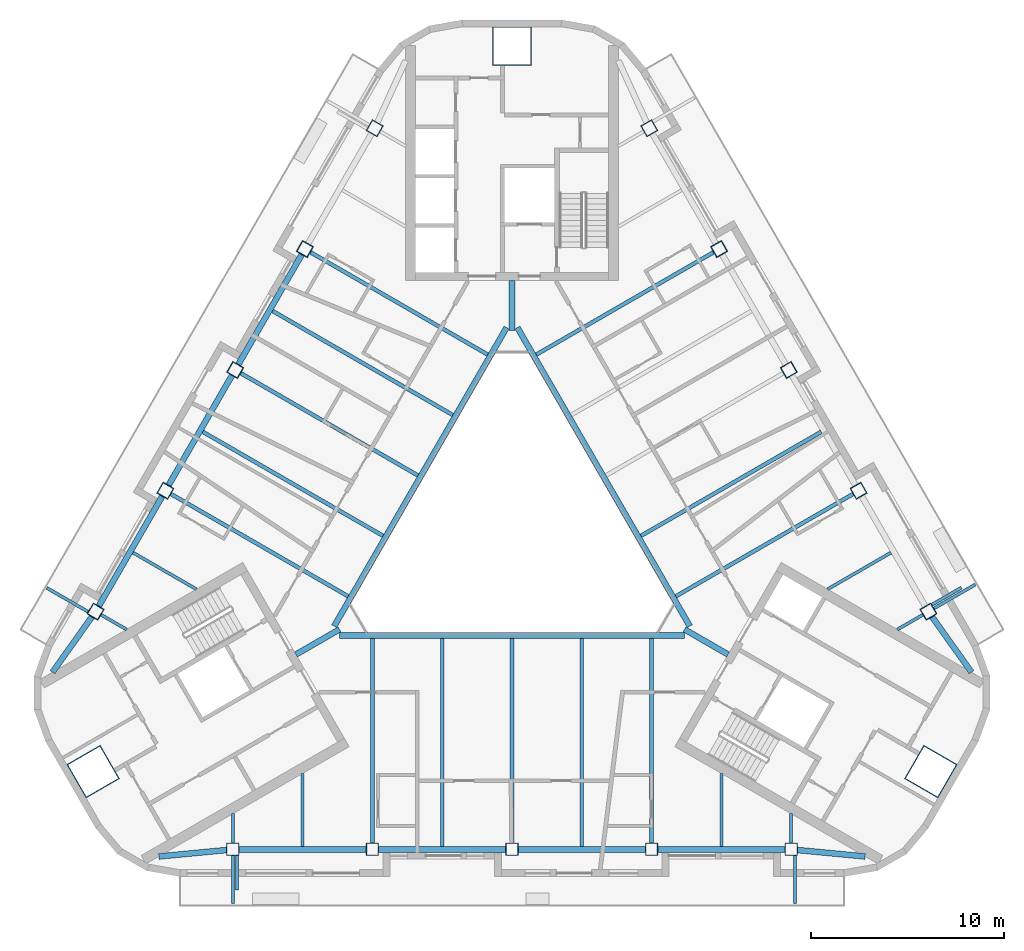
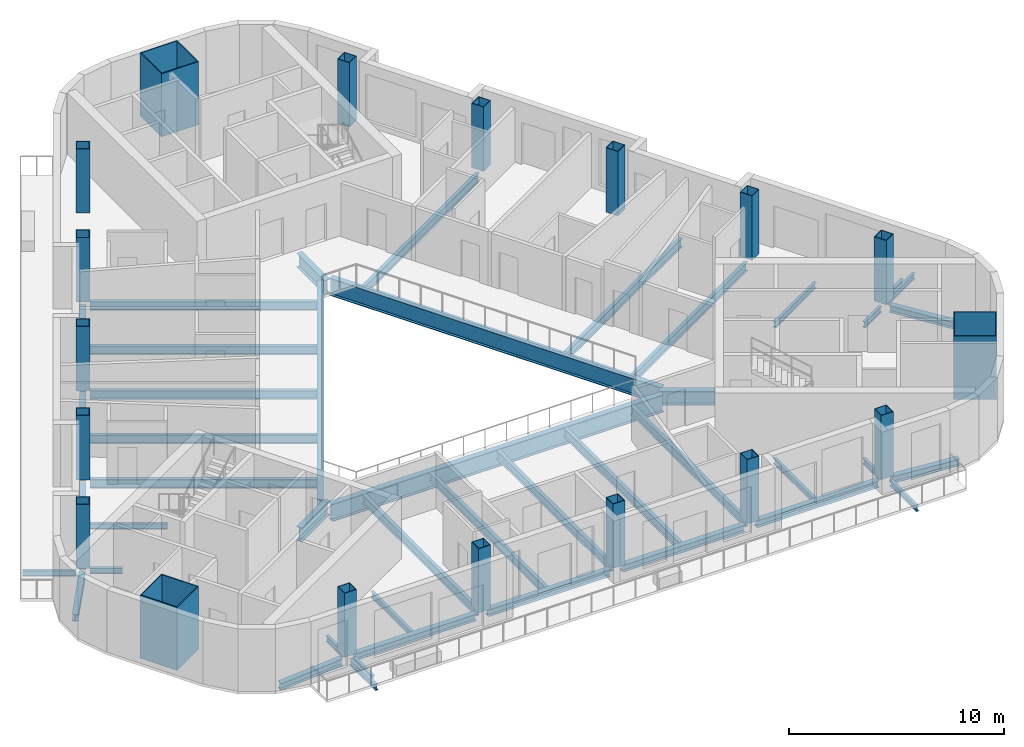
# One storey, part 1 of 13: 44 beams, 18 columns.
"""IFC4 building model written with IfcOpenShell, lengths in metres."""

from ifc_helpers import new_model, si_unit, direction, frame, origin, origin_2d, place, context, subcontext, project, spatial, rectangle, hollow_rectangle, i_section, extrude, boolean, halfspace, material, material_profile, profile_set, type_object, element, save


model = new_model("IFC4")

# Units and contexts
model_context = context("Model", 3, precision=1e-05, world=origin(), true_north=direction((0.0, 1.0)))
body_context = subcontext(model_context, "Body", "Model", "MODEL_VIEW")
ifc_project = project(units=[si_unit("LENGTHUNIT", "METRE"), si_unit("AREAUNIT", "SQUARE_METRE"), si_unit("VOLUMEUNIT", "CUBIC_METRE"), si_unit("PLANEANGLEUNIT", "RADIAN"), si_unit("MASSUNIT", "GRAM", prefix="KILO")], contexts=[model_context])

# Site, building, storey
site_placement = place(None, origin())
site = spatial("IfcSite", under=ifc_project, at=site_placement, CompositionType="ELEMENT")
building_placement = place(site_placement, origin())
building = spatial("IfcBuilding", under=site, at=building_placement, Name="Apuvela Tower Hotel", CompositionType="ELEMENT")
storey_placement = place(building_placement, frame((0.0, 0.0, 283.699951171875)))
storey = spatial("IfcBuildingStorey", under=building, at=storey_placement, Name="L70", CompositionType="ELEMENT", Elevation=283.699951171875)

# Columns
ifc_material_1 = material(Name="Steel S460", Category="steel")
ifc_material_profile_1 = material_profile(ifc_material_1, hollow_rectangle(XDim=2.0, YDim=2.0, WallThickness=0.050048828125, at=origin_2d()), Name="BOX 2000x2000x50")
ifc_material_2 = material(Name="Concrete C80/95", Category="concrete")
ifc_material_profile_2 = material_profile(ifc_material_2, rectangle(XDim=1.89990234375, YDim=1.89990234375, at=origin_2d()), Name="Concrete C80/95 infill")
ifc_profile_set_1 = profile_set([ifc_material_profile_1, ifc_material_profile_2], Name="Steel S460")
column_type_1 = type_object("IfcColumnType", Name="STR-MC mega column BOX 2000x2000x50", PredefinedType="COLUMN", material=ifc_profile_set_1)
for number, where, z_axis, x_axis, name in (
    (1, (0.0, 25.0087890625, 0.0), (0.0, 0.0, 1.0), (1.0, 0.0, 0.0), "Mega column MC4 N"),
    (2, (-21.658203125, -12.50439453125, 0.0), (0.0, 0.0, 1.0), (-0.5, 0.866025403784, 0.0), "Mega column MC4 SW"),
    (3, (21.658203125, -12.50439453125, 0.0), (0.0, 0.0, 1.0), (0.5, 0.866025403784, 0.0), "Mega column MC4 SE"),
):
    element("IfcColumn", number, at=place(storey_placement, frame(where, z_axis=z_axis, x_axis=x_axis)), inside=storey, type_object=column_type_1, Name=name, PredefinedType="COLUMN", context=body_context, shape_type="SweptSolid", body=[
        boolean("DIFFERENCE", extrude(hollow_rectangle(XDim=2.0, YDim=2.0, WallThickness=0.050048828125, at=origin_2d()), origin(), (0.0, 0.0, 1.0), 3.699951171875), halfspace(frame((0.0, 0.0, 3.586669921875), z_axis=(0.0, 0.0, 1.0), x_axis=(1.0, 0.0, 0.0)), False)),
    ])
ifc_material_profile_3 = material_profile(ifc_material_1, hollow_rectangle(XDim=0.64990234375, YDim=0.64990234375, WallThickness=0.030029296875, at=origin_2d()), Name="BOX 650x650x30")
ifc_material_profile_4 = material_profile(ifc_material_2, rectangle(XDim=0.590087890625, YDim=0.590087890625, at=origin_2d()), Name="Concrete C80/95 infill")
ifc_profile_set_2 = profile_set([ifc_material_profile_3, ifc_material_profile_4], Name="Steel S460")
column_type_2 = type_object("IfcColumnType", Name="STR-PC perimeter column BOX 650x650x30", PredefinedType="COLUMN", material=ifc_profile_set_2)
column_1_placement = place(storey_placement, frame((-14.4306640625, -16.52880859375, 0.0), z_axis=(0.0, 0.0, 1.0), x_axis=(-1.0, 0.0, 0.0)))
element("IfcColumn", 4, at=column_1_placement, inside=storey, type_object=column_type_2, Name="Perimeter column C6 S1", PredefinedType="COLUMN", context=body_context, shape_type="SweptSolid", body=[
    boolean("DIFFERENCE", extrude(hollow_rectangle(XDim=0.64990234375, YDim=0.64990234375, WallThickness=0.030029296875, at=origin_2d()), origin(), (0.0, 0.0, 1.0), 3.699951171875), halfspace(frame((0.0, 0.0, 3.653076171875), z_axis=(0.0, 0.0, 1.0), x_axis=(1.0, 0.0, 0.0)), False)),
])
column_2_placement = place(storey_placement, frame((-7.21533203125, -16.52880859375, 0.0), z_axis=(0.0, 0.0, 1.0), x_axis=(-1.0, 0.0, 0.0)))
element("IfcColumn", 5, at=column_2_placement, inside=storey, type_object=column_type_2, Name="Perimeter column C6 S2", PredefinedType="COLUMN", context=body_context, shape_type="SweptSolid", body=[
    boolean("DIFFERENCE", extrude(hollow_rectangle(XDim=0.64990234375, YDim=0.64990234375, WallThickness=0.030029296875, at=origin_2d()), origin(), (0.0, 0.0, 1.0), 3.699951171875), halfspace(frame((0.0, 0.0, 3.66015625), z_axis=(0.0, 0.0, 1.0), x_axis=(1.0, 0.0, 0.0)), False)),
])
column_3_placement = place(storey_placement, frame((0.0, -16.52880859375, 0.0), z_axis=(0.0, 0.0, 1.0), x_axis=(-1.0, 0.0, 0.0)))
element("IfcColumn", 6, at=column_3_placement, inside=storey, type_object=column_type_2, Name="Perimeter column C6 S3", PredefinedType="COLUMN", context=body_context, shape_type="SweptSolid", body=[
    boolean("DIFFERENCE", extrude(hollow_rectangle(XDim=0.64990234375, YDim=0.64990234375, WallThickness=0.030029296875, at=origin_2d()), origin(), (0.0, 0.0, 1.0), 3.699951171875), halfspace(frame((0.0, 0.0, 3.662841796875), z_axis=(0.0, 0.0, 1.0), x_axis=(1.0, 0.0, 0.0)), False)),
])
column_4_placement = place(storey_placement, frame((7.21533203125, -16.52880859375, 0.0), z_axis=(0.0, 0.0, 1.0), x_axis=(-1.0, 0.0, 0.0)))
element("IfcColumn", 7, at=column_4_placement, inside=storey, type_object=column_type_2, Name="Perimeter column C6 S4", PredefinedType="COLUMN", context=body_context, shape_type="SweptSolid", body=[
    boolean("DIFFERENCE", extrude(hollow_rectangle(XDim=0.64990234375, YDim=0.64990234375, WallThickness=0.030029296875, at=origin_2d()), origin(), (0.0, 0.0, 1.0), 3.699951171875), halfspace(frame((0.0, 0.0, 3.66015625), z_axis=(0.0, 0.0, 1.0), x_axis=(1.0, 0.0, 0.0)), False)),
])
for number, where, z_axis, x_axis, name in (
    (8, (14.4306640625, -16.52880859375, 0.0), (0.0, 0.0, 1.0), (-1.0, 0.0, 0.0), "Perimeter column C6 S5"),
    (9, (21.529541015625, -4.23291015625, 0.0), (0.0, 0.0, 1.0), (-0.5, 0.866025403784, 0.0), "Perimeter column C6 NE1"),
):
    element("IfcColumn", number, at=place(storey_placement, frame(where, z_axis=z_axis, x_axis=x_axis)), inside=storey, type_object=column_type_2, Name=name, PredefinedType="COLUMN", context=body_context, shape_type="SweptSolid", body=[
        boolean("DIFFERENCE", extrude(hollow_rectangle(XDim=0.64990234375, YDim=0.64990234375, WallThickness=0.030029296875, at=origin_2d()), origin(), (0.0, 0.0, 1.0), 3.699951171875), halfspace(frame((0.0, 0.0, 3.653076171875), z_axis=(0.0, 0.0, 1.0), x_axis=(1.0, 0.0, 0.0)), False)),
    ])
column_5_placement = place(storey_placement, frame((17.922119140625, 2.015625, 0.0), z_axis=(0.0, 0.0, 1.0), x_axis=(-0.5, 0.866025403784, 0.0)))
element("IfcColumn", 10, at=column_5_placement, inside=storey, type_object=column_type_2, Name="Perimeter column C6 NE2", PredefinedType="COLUMN", context=body_context, shape_type="SweptSolid", body=[
    boolean("DIFFERENCE", extrude(hollow_rectangle(XDim=0.64990234375, YDim=0.64990234375, WallThickness=0.030029296875, at=origin_2d()), origin(), (0.0, 0.0, 1.0), 3.699951171875), halfspace(frame((0.0, 0.0, 3.66015625), z_axis=(0.0, 0.0, 1.0), x_axis=(1.0, 0.0, 0.0)), False)),
])
column_6_placement = place(storey_placement, frame((14.314208984375, 8.264404296875, 0.0), z_axis=(0.0, 0.0, 1.0), x_axis=(-0.5, 0.866025403784, 0.0)))
element("IfcColumn", 11, at=column_6_placement, inside=storey, type_object=column_type_2, Name="Perimeter column C6 NE3", PredefinedType="COLUMN", context=body_context, shape_type="SweptSolid", body=[
    boolean("DIFFERENCE", extrude(hollow_rectangle(XDim=0.64990234375, YDim=0.64990234375, WallThickness=0.030029296875, at=origin_2d()), origin(), (0.0, 0.0, 1.0), 3.699951171875), halfspace(frame((0.0, 0.0, 3.662841796875), z_axis=(0.0, 0.0, 1.0), x_axis=(1.0, 0.0, 0.0)), False)),
])
column_7_placement = place(storey_placement, frame((10.70654296875, 14.512939453125, 0.0), z_axis=(0.0, 0.0, 1.0), x_axis=(-0.5, 0.866025403784, 0.0)))
element("IfcColumn", 12, at=column_7_placement, inside=storey, type_object=column_type_2, Name="Perimeter column C6 NE4", PredefinedType="COLUMN", context=body_context, shape_type="SweptSolid", body=[
    boolean("DIFFERENCE", extrude(hollow_rectangle(XDim=0.64990234375, YDim=0.64990234375, WallThickness=0.030029296875, at=origin_2d()), origin(), (0.0, 0.0, 1.0), 3.699951171875), halfspace(frame((0.0, 0.0, 3.66015625), z_axis=(0.0, 0.0, 1.0), x_axis=(1.0, 0.0, 0.0)), False)),
])
for number, where, z_axis, x_axis, name in (
    (13, (7.09912109375, 20.76171875, 0.0), (0.0, 0.0, 1.0), (-0.5, 0.866025403784, 0.0), "Perimeter column C6 NE5"),
    (14, (-7.09912109375, 20.76171875, 0.0), (0.0, 0.0, 1.0), (0.5, 0.866025403784, 0.0), "Perimeter column C6 NW1"),
):
    element("IfcColumn", number, at=place(storey_placement, frame(where, z_axis=z_axis, x_axis=x_axis)), inside=storey, type_object=column_type_2, Name=name, PredefinedType="COLUMN", context=body_context, shape_type="SweptSolid", body=[
        boolean("DIFFERENCE", extrude(hollow_rectangle(XDim=0.64990234375, YDim=0.64990234375, WallThickness=0.030029296875, at=origin_2d()), origin(), (0.0, 0.0, 1.0), 3.699951171875), halfspace(frame((0.0, 0.0, 3.653076171875), z_axis=(0.0, 0.0, 1.0), x_axis=(1.0, 0.0, 0.0)), False)),
    ])
column_8_placement = place(storey_placement, frame((-10.70654296875, 14.512939453125, 0.0), z_axis=(0.0, 0.0, 1.0), x_axis=(0.5, 0.866025403784, 0.0)))
element("IfcColumn", 15, at=column_8_placement, inside=storey, type_object=column_type_2, Name="Perimeter column C6 NW2", PredefinedType="COLUMN", context=body_context, shape_type="SweptSolid", body=[
    boolean("DIFFERENCE", extrude(hollow_rectangle(XDim=0.64990234375, YDim=0.64990234375, WallThickness=0.030029296875, at=origin_2d()), origin(), (0.0, 0.0, 1.0), 3.699951171875), halfspace(frame((0.0, 0.0, 3.66015625), z_axis=(0.0, 0.0, 1.0), x_axis=(1.0, 0.0, 0.0)), False)),
])
column_9_placement = place(storey_placement, frame((-14.314208984375, 8.264404296875, 0.0), z_axis=(0.0, 0.0, 1.0), x_axis=(0.5, 0.866025403784, 0.0)))
element("IfcColumn", 16, at=column_9_placement, inside=storey, type_object=column_type_2, Name="Perimeter column C6 NW3", PredefinedType="COLUMN", context=body_context, shape_type="SweptSolid", body=[
    boolean("DIFFERENCE", extrude(hollow_rectangle(XDim=0.64990234375, YDim=0.64990234375, WallThickness=0.030029296875, at=origin_2d()), origin(), (0.0, 0.0, 1.0), 3.699951171875), halfspace(frame((0.0, 0.0, 3.662841796875), z_axis=(0.0, 0.0, 1.0), x_axis=(1.0, 0.0, 0.0)), False)),
])
column_10_placement = place(storey_placement, frame((-17.922119140625, 2.015625, 0.0), z_axis=(0.0, 0.0, 1.0), x_axis=(0.5, 0.866025403784, 0.0)))
element("IfcColumn", 17, at=column_10_placement, inside=storey, type_object=column_type_2, Name="Perimeter column C6 NW4", PredefinedType="COLUMN", context=body_context, shape_type="SweptSolid", body=[
    boolean("DIFFERENCE", extrude(hollow_rectangle(XDim=0.64990234375, YDim=0.64990234375, WallThickness=0.030029296875, at=origin_2d()), origin(), (0.0, 0.0, 1.0), 3.699951171875), halfspace(frame((0.0, 0.0, 3.66015625), z_axis=(0.0, 0.0, 1.0), x_axis=(1.0, 0.0, 0.0)), False)),
])
column_11_placement = place(storey_placement, frame((-21.529541015625, -4.23291015625, 0.0), z_axis=(0.0, 0.0, 1.0), x_axis=(0.5, 0.866025403784, 0.0)))
element("IfcColumn", 18, at=column_11_placement, inside=storey, type_object=column_type_2, Name="Perimeter column C6 NW5", PredefinedType="COLUMN", context=body_context, shape_type="SweptSolid", body=[
    boolean("DIFFERENCE", extrude(hollow_rectangle(XDim=0.64990234375, YDim=0.64990234375, WallThickness=0.030029296875, at=origin_2d()), origin(), (0.0, 0.0, 1.0), 3.699951171875), halfspace(frame((0.0, 0.0, 3.653076171875), z_axis=(0.0, 0.0, 1.0), x_axis=(1.0, 0.0, 0.0)), False)),
])

# Beams
ifc_material_3 = material(Name="Steel S355", Category="steel")
ifc_material_profile_5 = material_profile(ifc_material_3, i_section(OverallWidth=0.159912109375, OverallDepth=0.330078125, WebThickness=0.007568359375, FlangeThickness=0.011474609375, at=origin_2d()), Name="IPE 330")
ifc_profile_set_3 = profile_set([ifc_material_profile_5], Name="Steel S355")
beam_type_1 = type_object("IfcBeamType", Name="ENV-BALCONY-BEAM-IPE330", PredefinedType="BEAM", material=ifc_profile_set_3)
beam_1_placement = place(storey_placement, frame((-14.4306640625, -16.853759765625, -0.31494140625), z_axis=(0.0, -1.0, 0.0), x_axis=(1.0, 0.0, 0.0)))
element("IfcBeam", 19, at=beam_1_placement, inside=storey, type_object=beam_type_1, Name="Balcony cantilever beam S1 L70", PredefinedType="BEAM", context=body_context, shape_type="SweptSolid", body=[
    extrude(i_section(OverallWidth=0.159912109375, OverallDepth=0.330078125, WebThickness=0.007568359375, FlangeThickness=0.011474609375, at=origin_2d()), origin(), (0.0, 0.0, 1.0), 2.474853515625),
])
beam_2_placement = place(storey_placement, frame((-14.210693359375, -16.853759765625, -0.31494140625), z_axis=(0.0, -1.0, 0.0), x_axis=(1.0, 0.0, 0.0)))
element("IfcBeam", 20, at=beam_2_placement, inside=storey, type_object=beam_type_1, Name="Balcony cantilever beam S2 L70", PredefinedType="BEAM", context=body_context, shape_type="SweptSolid", body=[
    extrude(i_section(OverallWidth=0.159912109375, OverallDepth=0.330078125, WebThickness=0.007568359375, FlangeThickness=0.011474609375, at=origin_2d()), origin(), (0.0, 0.0, 1.0), 1.77490234375),
])
beam_3_placement = place(storey_placement, frame((14.630615234375, -16.853759765625, -0.31494140625), z_axis=(0.0, -1.0, 0.0), x_axis=(1.0, 0.0, 0.0)))
element("IfcBeam", 21, at=beam_3_placement, inside=storey, type_object=beam_type_1, Name="Balcony cantilever beam S3 L70", PredefinedType="BEAM", context=body_context, shape_type="SweptSolid", body=[
    extrude(i_section(OverallWidth=0.159912109375, OverallDepth=0.330078125, WebThickness=0.007568359375, FlangeThickness=0.011474609375, at=origin_2d()), origin(), (0.0, 0.0, 1.0), 2.474853515625),
])
beam_4_placement = place(storey_placement, frame((21.81103515625, -4.070556640625, -0.31494140625), z_axis=(0.866031185235, 0.4999899861, 0.0), x_axis=(-0.4999899861, 0.866031185235, 0.0)))
element("IfcBeam", 22, at=beam_4_placement, inside=storey, type_object=beam_type_1, Name="Balcony cantilever beam NE1 L70", PredefinedType="BEAM", context=body_context, shape_type="SweptSolid", body=[
    extrude(i_section(OverallWidth=0.159912109375, OverallDepth=0.330078125, WebThickness=0.007568359375, FlangeThickness=0.011474609375, at=origin_2d()), origin(), (0.0, 0.0, 1.0), 2.47509765625),
])
beam_5_placement = place(storey_placement, frame((21.701171875, -3.8798828125, -0.31494140625), z_axis=(0.866025242659, 0.500000279077, 0.0), x_axis=(-0.500000279077, 0.866025242659, 0.0)))
element("IfcBeam", 23, at=beam_5_placement, inside=storey, type_object=beam_type_1, Name="Balcony cantilever beam NE2 L70", PredefinedType="BEAM", context=body_context, shape_type="SweptSolid", body=[
    extrude(i_section(OverallWidth=0.159912109375, OverallDepth=0.330078125, WebThickness=0.007568359375, FlangeThickness=0.011474609375, at=origin_2d()), origin(), (0.0, 0.0, 1.0), 1.77490234375),
])
beam_6_placement = place(storey_placement, frame((-21.9111328125, -4.24365234375, -0.31494140625), z_axis=(-0.866006523861, 0.500032699561, 0.0), x_axis=(-0.500032699561, -0.866006523861, 0.0)))
element("IfcBeam", 24, at=beam_6_placement, inside=storey, type_object=beam_type_1, Name="Balcony cantilever beam NW3 L70", PredefinedType="BEAM", context=body_context, shape_type="SweptSolid", body=[
    extrude(i_section(OverallWidth=0.159912109375, OverallDepth=0.330078125, WebThickness=0.007568359375, FlangeThickness=0.011474609375, at=origin_2d()), origin(), (0.0, 0.0, 1.0), 2.474853515625),
])
ifc_material_profile_6 = material_profile(ifc_material_3, i_section(OverallWidth=0.159912109375, OverallDepth=0.330078125, WebThickness=0.007568359375, FlangeThickness=0.011474609375, at=origin_2d()), Name="IPE 330")
ifc_profile_set_4 = profile_set([ifc_material_profile_6], Name="Steel S355")
beam_type_2 = type_object("IfcBeamType", Name="STR-B floor beam IPE 330", PredefinedType="BEAM", material=ifc_profile_set_4)
beam_7_placement = place(storey_placement, frame((21.248291015625, -4.3955078125, -0.31494140625), z_axis=(-0.866092063448, -0.499884524299, 0.0), x_axis=(0.499884524299, -0.866092063448, 0.0)))
element("IfcBeam", 25, at=beam_7_placement, inside=storey, type_object=beam_type_2, Name="Floor beam B1 NE1", PredefinedType="BEAM", context=body_context, shape_type="SweptSolid", body=[
    extrude(i_section(OverallWidth=0.159912109375, OverallDepth=0.330078125, WebThickness=0.007568359375, FlangeThickness=0.011474609375, at=origin_2d()), origin(), (0.0, 0.0, 1.0), 1.521240234375),
])
for number, where, z_axis, x_axis, name in (
    (26, (19.595947265625, -1.18359375, -0.31494140625), (-0.86602422079, -0.500002049001, 0.0), (0.500002049001, -0.86602422079, 0.0), "Floor beam B1 NE2"),
    (27, (-19.595947265625, -1.18359375, -0.31494140625), (0.86602422079, -0.500002049001, 0.0), (0.500002049001, 0.86602422079, 0.0), "Floor beam B1 NW8"),
):
    element("IfcBeam", number, at=place(storey_placement, frame(where, z_axis=z_axis, x_axis=x_axis)), inside=storey, type_object=beam_type_2, Name=name, PredefinedType="BEAM", context=body_context, shape_type="SweptSolid", body=[
        extrude(i_section(OverallWidth=0.159912109375, OverallDepth=0.330078125, WebThickness=0.007568359375, FlangeThickness=0.011474609375, at=origin_2d()), origin(), (0.0, 0.0, 1.0), 3.779296875),
    ])
for number, where, z_axis, x_axis, name in (
    (28, (-21.248291015625, -4.3955078125, -0.31494140625), (0.866092063448, -0.499884524299, 0.0), (0.499884524299, 0.866092063448, 0.0), "Floor beam B1 NW9"),
    (29, (-14.4306640625, -16.20361328125, -0.31494140625), (0.0, 1.0, 0.0), (-1.0, 0.0, 0.0), "Floor beam B1 S1"),
):
    element("IfcBeam", number, at=place(storey_placement, frame(where, z_axis=z_axis, x_axis=x_axis)), inside=storey, type_object=beam_type_2, Name=name, PredefinedType="BEAM", context=body_context, shape_type="SweptSolid", body=[
        extrude(i_section(OverallWidth=0.159912109375, OverallDepth=0.330078125, WebThickness=0.007568359375, FlangeThickness=0.011474609375, at=origin_2d()), origin(), (0.0, 0.0, 1.0), 1.521240234375),
    ])
for number, where, z_axis, x_axis, name in (
    (30, (-10.822998046875, -16.378662109375, -0.31494140625), (0.0, 1.0, 0.0), (-1.0, 0.0, 0.0), "Floor beam B1 S2"),
    (31, (10.822998046875, -16.378662109375, -0.31494140625), (0.0, 1.0, 0.0), (-1.0, 0.0, 0.0), "Floor beam B1 S8"),
):
    element("IfcBeam", number, at=place(storey_placement, frame(where, z_axis=z_axis, x_axis=x_axis)), inside=storey, type_object=beam_type_2, Name=name, PredefinedType="BEAM", context=body_context, shape_type="SweptSolid", body=[
        extrude(i_section(OverallWidth=0.159912109375, OverallDepth=0.330078125, WebThickness=0.007568359375, FlangeThickness=0.011474609375, at=origin_2d()), origin(), (0.0, 0.0, 1.0), 3.779052734375),
    ])
beam_8_placement = place(storey_placement, frame((14.4306640625, -16.20361328125, -0.31494140625), z_axis=(0.0, 1.0, 0.0), x_axis=(-1.0, 0.0, 0.0)))
element("IfcBeam", 32, at=beam_8_placement, inside=storey, type_object=beam_type_2, Name="Floor beam B1 S9", PredefinedType="BEAM", context=body_context, shape_type="SweptSolid", body=[
    extrude(i_section(OverallWidth=0.159912109375, OverallDepth=0.330078125, WebThickness=0.007568359375, FlangeThickness=0.011474609375, at=origin_2d()), origin(), (0.0, 0.0, 1.0), 1.521240234375),
])
ifc_material_profile_7 = material_profile(ifc_material_3, i_section(OverallWidth=0.199951171875, OverallDepth=0.5, WebThickness=0.01025390625, FlangeThickness=0.01611328125, at=origin_2d()), Name="IPE 500")
ifc_profile_set_5 = profile_set([ifc_material_profile_7], Name="Steel S355")
beam_type_3 = type_object("IfcBeamType", Name="STR-B floor beam IPE 500", PredefinedType="BEAM", material=ifc_profile_set_5)
beam_9_placement = place(storey_placement, frame((17.640380859375, 1.853271484375, -0.39990234375), z_axis=(-0.866020021501, -0.500009322272, 0.0), x_axis=(0.500009322272, -0.866020021501, 0.0)))
element("IfcBeam", 33, at=beam_9_placement, inside=storey, type_object=beam_type_3, Name="Floor beam B3 NE3", PredefinedType="BEAM", context=body_context, shape_type="SweptSolid", body=[
    extrude(i_section(OverallWidth=0.199951171875, OverallDepth=0.5, WebThickness=0.01025390625, FlangeThickness=0.01611328125, at=origin_2d()), origin(), (0.0, 0.0, 1.0), 10.583740234375),
])
beam_10_placement = place(storey_placement, frame((15.98828125, 5.06494140625, -0.39990234375), z_axis=(-0.86603518723, -0.499983054193, 0.0), x_axis=(0.499983054193, -0.86603518723, 0.0)))
element("IfcBeam", 34, at=beam_10_placement, inside=storey, type_object=beam_type_3, Name="Floor beam B3 NE4", PredefinedType="BEAM", context=body_context, shape_type="SweptSolid", body=[
    extrude(i_section(OverallWidth=0.199951171875, OverallDepth=0.5, WebThickness=0.01025390625, FlangeThickness=0.01611328125, at=origin_2d()), origin(), (0.0, 0.0, 1.0), 10.758544921875),
])
for number, where, z_axis, x_axis, name in (
    (35, (10.42529296875, 14.3505859375, -0.39990234375), (-0.866020021501, -0.500009322272, 0.0), (0.500009322272, -0.866020021501, 0.0), "Floor beam B3 NE7"),
    (36, (-10.42529296875, 14.3505859375, -0.39990234375), (0.866020021501, -0.500009322272, 0.0), (0.500009322272, 0.866020021501, 0.0), "Floor beam B3 NW3"),
):
    element("IfcBeam", number, at=place(storey_placement, frame(where, z_axis=z_axis, x_axis=x_axis)), inside=storey, type_object=beam_type_3, Name=name, PredefinedType="BEAM", context=body_context, shape_type="SweptSolid", body=[
        extrude(i_section(OverallWidth=0.199951171875, OverallDepth=0.5, WebThickness=0.01025390625, FlangeThickness=0.01611328125, at=origin_2d()), origin(), (0.0, 0.0, 1.0), 10.583740234375),
    ])
beam_11_placement = place(storey_placement, frame((-12.380615234375, 11.313720703125, -0.39990234375), z_axis=(0.866025361271, -0.500000073636, 0.0), x_axis=(0.500000073636, 0.866025361271, 0.0)))
element("IfcBeam", 37, at=beam_11_placement, inside=storey, type_object=beam_type_3, Name="Floor beam B3 NW4", PredefinedType="BEAM", context=body_context, shape_type="SweptSolid", body=[
    extrude(i_section(OverallWidth=0.199951171875, OverallDepth=0.5, WebThickness=0.01025390625, FlangeThickness=0.01611328125, at=origin_2d()), origin(), (0.0, 0.0, 1.0), 10.7587890625),
])
beam_12_placement = place(storey_placement, frame((-14.03271484375, 8.101806640625, -0.39990234375), z_axis=(0.866024243143, -0.500002010285, 0.0), x_axis=(0.500002010285, 0.866024243143, 0.0)))
element("IfcBeam", 38, at=beam_12_placement, inside=storey, type_object=beam_type_3, Name="Floor beam B3 NW5", PredefinedType="BEAM", context=body_context, shape_type="SweptSolid", body=[
    extrude(i_section(OverallWidth=0.199951171875, OverallDepth=0.5, WebThickness=0.01025390625, FlangeThickness=0.01611328125, at=origin_2d()), origin(), (0.0, 0.0, 1.0), 10.58349609375),
])
beam_13_placement = place(storey_placement, frame((-15.98828125, 5.06494140625, -0.39990234375), z_axis=(0.86603518723, -0.499983054193, 0.0), x_axis=(0.499983054193, 0.86603518723, 0.0)))
element("IfcBeam", 39, at=beam_13_placement, inside=storey, type_object=beam_type_3, Name="Floor beam B3 NW6", PredefinedType="BEAM", context=body_context, shape_type="SweptSolid", body=[
    extrude(i_section(OverallWidth=0.199951171875, OverallDepth=0.5, WebThickness=0.01025390625, FlangeThickness=0.01611328125, at=origin_2d()), origin(), (0.0, 0.0, 1.0), 10.758544921875),
])
beam_14_placement = place(storey_placement, frame((-17.640380859375, 1.853271484375, -0.39990234375), z_axis=(0.866020021501, -0.500009322272, 0.0), x_axis=(0.500009322272, 0.866020021501, 0.0)))
element("IfcBeam", 40, at=beam_14_placement, inside=storey, type_object=beam_type_3, Name="Floor beam B3 NW7", PredefinedType="BEAM", context=body_context, shape_type="SweptSolid", body=[
    extrude(i_section(OverallWidth=0.199951171875, OverallDepth=0.5, WebThickness=0.01025390625, FlangeThickness=0.01611328125, at=origin_2d()), origin(), (0.0, 0.0, 1.0), 10.583740234375),
])
beam_15_placement = place(storey_placement, frame((-7.21533203125, -16.20361328125, -0.39990234375), z_axis=(0.0, 1.0, 0.0), x_axis=(-1.0, 0.0, 0.0)))
element("IfcBeam", 41, at=beam_15_placement, inside=storey, type_object=beam_type_3, Name="Floor beam B3 S3", PredefinedType="BEAM", context=body_context, shape_type="SweptSolid", body=[
    extrude(i_section(OverallWidth=0.199951171875, OverallDepth=0.5, WebThickness=0.01025390625, FlangeThickness=0.01611328125, at=origin_2d()), origin(), (0.0, 0.0, 1.0), 10.58349609375),
])
beam_16_placement = place(storey_placement, frame((-3.607666015625, -16.378662109375, -0.39990234375), z_axis=(0.0, 1.0, 0.0), x_axis=(-1.0, 0.0, 0.0)))
element("IfcBeam", 42, at=beam_16_placement, inside=storey, type_object=beam_type_3, Name="Floor beam B3 S4", PredefinedType="BEAM", context=body_context, shape_type="SweptSolid", body=[
    extrude(i_section(OverallWidth=0.199951171875, OverallDepth=0.5, WebThickness=0.01025390625, FlangeThickness=0.01611328125, at=origin_2d()), origin(), (0.0, 0.0, 1.0), 10.758544921875),
])
beam_17_placement = place(storey_placement, frame((0.0, -16.20361328125, -0.39990234375), z_axis=(0.0, 1.0, 0.0), x_axis=(-1.0, 0.0, 0.0)))
element("IfcBeam", 43, at=beam_17_placement, inside=storey, type_object=beam_type_3, Name="Floor beam B3 S5", PredefinedType="BEAM", context=body_context, shape_type="SweptSolid", body=[
    extrude(i_section(OverallWidth=0.199951171875, OverallDepth=0.5, WebThickness=0.01025390625, FlangeThickness=0.01611328125, at=origin_2d()), origin(), (0.0, 0.0, 1.0), 10.58349609375),
])
beam_18_placement = place(storey_placement, frame((3.607666015625, -16.378662109375, -0.39990234375), z_axis=(0.0, 1.0, 0.0), x_axis=(-1.0, 0.0, 0.0)))
element("IfcBeam", 44, at=beam_18_placement, inside=storey, type_object=beam_type_3, Name="Floor beam B3 S6", PredefinedType="BEAM", context=body_context, shape_type="SweptSolid", body=[
    extrude(i_section(OverallWidth=0.199951171875, OverallDepth=0.5, WebThickness=0.01025390625, FlangeThickness=0.01611328125, at=origin_2d()), origin(), (0.0, 0.0, 1.0), 10.758544921875),
])
beam_19_placement = place(storey_placement, frame((7.21533203125, -16.20361328125, -0.39990234375), z_axis=(0.0, 1.0, 0.0), x_axis=(-1.0, 0.0, 0.0)))
element("IfcBeam", 45, at=beam_19_placement, inside=storey, type_object=beam_type_3, Name="Floor beam B3 S7", PredefinedType="BEAM", context=body_context, shape_type="SweptSolid", body=[
    extrude(i_section(OverallWidth=0.199951171875, OverallDepth=0.5, WebThickness=0.01025390625, FlangeThickness=0.01611328125, at=origin_2d()), origin(), (0.0, 0.0, 1.0), 10.58349609375),
])
ifc_material_profile_8 = material_profile(ifc_material_3, i_section(OverallWidth=0.300048828125, OverallDepth=0.989990234375, WebThickness=0.0166015625, FlangeThickness=0.031005859375, at=origin_2d()), Name="HE 1000 A")
ifc_profile_set_6 = profile_set([ifc_material_profile_8], Name="Steel S355")
beam_type_4 = type_object("IfcBeamType", Name="STR-G atrium ring girder HE 1000 A", PredefinedType="BEAM", material=ifc_profile_set_6)
beam_20_placement = place(storey_placement, frame((-0.27978515625, 10.455078125, -0.64501953125), z_axis=(-0.500006541319, -0.866021627119, 0.0), x_axis=(0.866021627119, -0.500006541319, 0.0)))
element("IfcBeam", 46, at=beam_20_placement, inside=storey, type_object=beam_type_4, Name="Atrium ring girder G3 N-SW", PredefinedType="BEAM", context=body_context, shape_type="SweptSolid", body=[
    extrude(i_section(OverallWidth=0.300048828125, OverallDepth=0.989990234375, WebThickness=0.0166015625, FlangeThickness=0.031005859375, at=origin_2d()), origin(), (0.0, 0.0, 1.0), 17.828857421875),
])
beam_21_placement = place(storey_placement, frame((-8.91455078125, -5.469970703125, -0.64501953125), z_axis=(1.0, 0.0, 0.0), x_axis=(0.0, 1.0, 0.0)))
element("IfcBeam", 47, at=beam_21_placement, inside=storey, type_object=beam_type_4, Name="Atrium ring girder G3 SW-SE", PredefinedType="BEAM", context=body_context, shape_type="SweptSolid", body=[
    extrude(i_section(OverallWidth=0.300048828125, OverallDepth=0.989990234375, WebThickness=0.0166015625, FlangeThickness=0.031005859375, at=origin_2d()), origin(), (0.0, 0.0, 1.0), 17.8291015625),
])
beam_22_placement = place(storey_placement, frame((9.1943359375, -4.985107421875, -0.64501953125), z_axis=(-0.500006541319, 0.866021627119, 0.0), x_axis=(-0.866021627119, -0.500006541319, 0.0)))
element("IfcBeam", 48, at=beam_22_placement, inside=storey, type_object=beam_type_4, Name="Atrium ring girder G3 SE-N", PredefinedType="BEAM", context=body_context, shape_type="SweptSolid", body=[
    extrude(i_section(OverallWidth=0.300048828125, OverallDepth=0.989990234375, WebThickness=0.0166015625, FlangeThickness=0.031005859375, at=origin_2d()), origin(), (0.0, 0.0, 1.0), 17.828857421875),
])
ifc_material_profile_9 = material_profile(ifc_material_3, i_section(OverallWidth=0.300048828125, OverallDepth=0.800048828125, WebThickness=0.017578125, FlangeThickness=0.032958984375, at=origin_2d()), Name="HE 800 B")
ifc_profile_set_7 = profile_set([ifc_material_profile_9], Name="Steel S355")
beam_type_5 = type_object("IfcBeamType", Name="STR-GT core tie beam HE 800 B", PredefinedType="BEAM", material=ifc_profile_set_7)
for number, where, z_axis, x_axis, name in (
    (49, (0.0, 12.89990234375, -0.550048828125), (0.0, -1.0, 0.0), (1.0, 0.0, 0.0), "Core tie beam GT1 N"),
    (50, (-11.171630859375, -6.449951171875, -0.550048828125), (0.865997922154, 0.500047596559, 0.0), (-0.500047596559, 0.865997922154, 0.0), "Core tie beam GT1 SW"),
    (51, (11.171630859375, -6.449951171875, -0.550048828125), (-0.865997922154, 0.500047596559, 0.0), (-0.500047596559, -0.865997922154, 0.0), "Core tie beam GT1 SE"),
):
    element("IfcBeam", number, at=place(storey_placement, frame(where, z_axis=z_axis, x_axis=x_axis)), inside=storey, type_object=beam_type_5, Name=name, PredefinedType="BEAM", context=body_context, shape_type="SweptSolid", body=[
        extrude(i_section(OverallWidth=0.300048828125, OverallDepth=0.800048828125, WebThickness=0.017578125, FlangeThickness=0.032958984375, at=origin_2d()), origin(), (0.0, 0.0, 1.0), 2.599853515625),
    ])
ifc_material_profile_10 = material_profile(ifc_material_3, i_section(OverallWidth=0.300048828125, OverallDepth=0.389892578125, WebThickness=0.010986328125, FlangeThickness=0.01904296875, at=origin_2d()), Name="HE 400 A")
ifc_profile_set_8 = profile_set([ifc_material_profile_10], Name="Steel S355")
beam_type_6 = type_object("IfcBeamType", Name="STR-SB spandrel beam HE 400 A", PredefinedType="SPANDREL", material=ifc_profile_set_8)
for number, where, z_axis, x_axis, name in (
    (52, (-14.105712890625, -16.52880859375, -0.344970703125), (1.0, 0.0, 0.0), (0.0, 1.0, 0.0), "Spandrel beam SB4 S1"),
    (53, (-6.890380859375, -16.52880859375, -0.344970703125), (1.0, 0.0, 0.0), (0.0, 1.0, 0.0), "Spandrel beam SB4 S2"),
    (54, (0.324951171875, -16.52880859375, -0.344970703125), (1.0, 0.0, 0.0), (0.0, 1.0, 0.0), "Spandrel beam SB4 S3"),
    (55, (7.540283203125, -16.52880859375, -0.344970703125), (1.0, 0.0, 0.0), (0.0, 1.0, 0.0), "Spandrel beam SB4 S4"),
    (56, (-10.869140625, 14.231689453125, -0.344970703125), (-0.500002498361, -0.86602396135, 0.0), (0.86602396135, -0.500002498361, 0.0), "Spandrel beam SB4 NW2"),
    (57, (-14.476806640625, 7.98291015625, -0.344970703125), (-0.500002498361, -0.86602396135, 0.0), (0.86602396135, -0.500002498361, 0.0), "Spandrel beam SB4 NW3"),
):
    element("IfcBeam", number, at=place(storey_placement, frame(where, z_axis=z_axis, x_axis=x_axis)), inside=storey, type_object=beam_type_6, Name=name, PredefinedType="SPANDREL", context=body_context, shape_type="SweptSolid", body=[
        extrude(i_section(OverallWidth=0.300048828125, OverallDepth=0.389892578125, WebThickness=0.010986328125, FlangeThickness=0.01904296875, at=origin_2d()), origin(), (0.0, 0.0, 1.0), 6.5654296875),
    ])
beam_23_placement = place(storey_placement, frame((-18.08447265625, 1.734130859375, -0.344970703125), z_axis=(-0.500018600842, -0.866014664317, 0.0), x_axis=(0.866014664317, -0.500018600842, 0.0)))
element("IfcBeam", 58, at=beam_23_placement, inside=storey, type_object=beam_type_6, Name="Spandrel beam SB4 NW4", PredefinedType="SPANDREL", context=body_context, shape_type="SweptSolid", body=[
    extrude(i_section(OverallWidth=0.300048828125, OverallDepth=0.389892578125, WebThickness=0.010986328125, FlangeThickness=0.01904296875, at=origin_2d()), origin(), (0.0, 0.0, 1.0), 6.565185546875),
])
for number, where, z_axis, x_axis, name in (
    (59, (-14.755615234375, -16.5595703125, -0.344970703125), (-0.995512294826, -0.094632292853, 0.0), (0.094632292853, -0.995512294826, 0.0), "Spandrel beam SB4 S1-SW"),
    (60, (14.755615234375, -16.5595703125, -0.344970703125), (0.995512294826, -0.094632292853, 0.0), (0.094632292853, 0.995512294826, 0.0), "Spandrel beam SB4 S5-SE"),
):
    element("IfcBeam", number, at=place(storey_placement, frame(where, z_axis=z_axis, x_axis=x_axis)), inside=storey, type_object=beam_type_6, Name=name, PredefinedType="SPANDREL", context=body_context, shape_type="SweptSolid", body=[
        extrude(i_section(OverallWidth=0.300048828125, OverallDepth=0.389892578125, WebThickness=0.010986328125, FlangeThickness=0.01904296875, at=origin_2d()), origin(), (0.0, 0.0, 1.0), 3.51904296875),
    ])
for number, where, z_axis, x_axis, name in (
    (61, (21.718994140625, -4.4990234375, -0.344970703125), (0.579694784779, -0.814833698677, 0.0), (0.814833698677, 0.579694784779, 0.0), "Spandrel beam SB4 NE1-SE"),
    (62, (-21.718994140625, -4.4990234375, -0.344970703125), (-0.579694784779, -0.814833698677, 0.0), (0.814833698677, -0.579694784779, 0.0), "Spandrel beam SB4 NW5-SW"),
):
    element("IfcBeam", number, at=place(storey_placement, frame(where, z_axis=z_axis, x_axis=x_axis)), inside=storey, type_object=beam_type_6, Name=name, PredefinedType="SPANDREL", context=body_context, shape_type="SweptSolid", body=[
        extrude(i_section(OverallWidth=0.300048828125, OverallDepth=0.389892578125, WebThickness=0.010986328125, FlangeThickness=0.01904296875, at=origin_2d()), origin(), (0.0, 0.0, 1.0), 3.518798828125),
    ])

save(model, "model.ifc")
